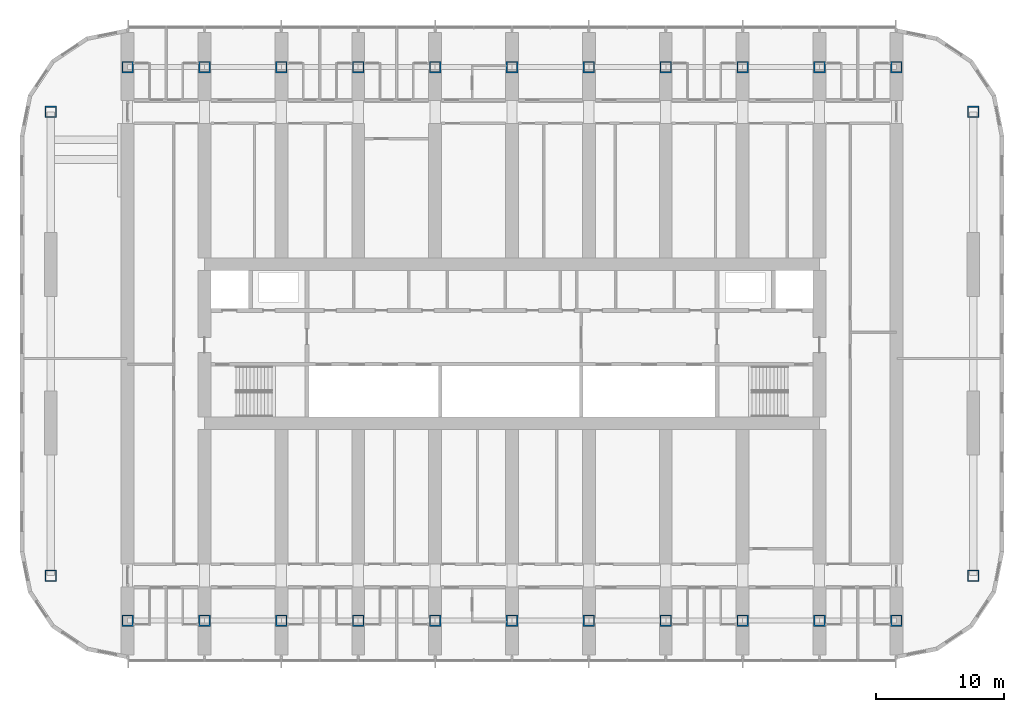
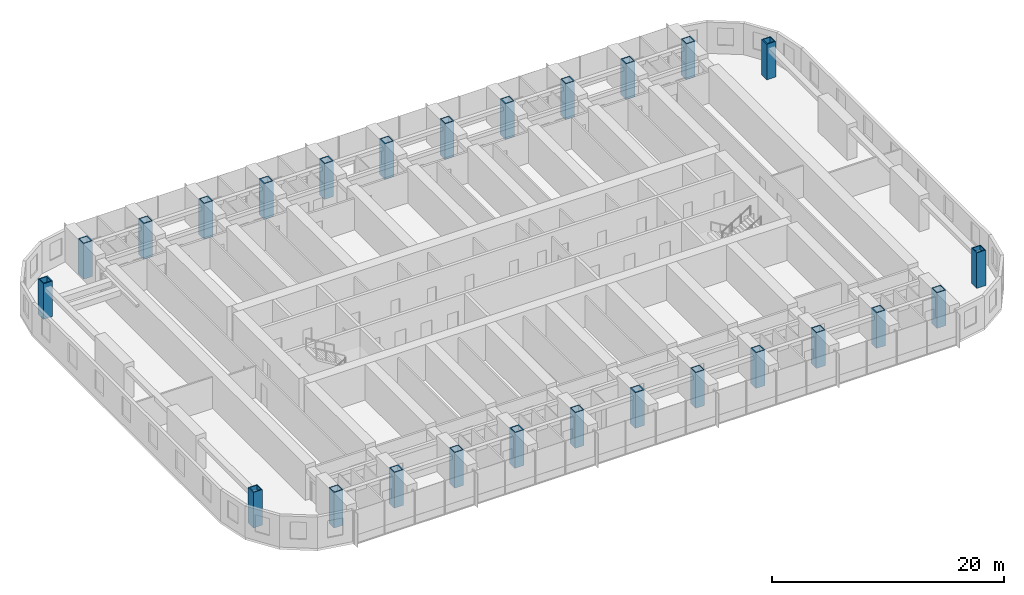
# One storey, part 1 of 23: 26 columns.
"""IFC4 building model written with IfcOpenShell, lengths in metres."""

from ifc_helpers import new_model, si_unit, direction, frame, origin, origin_2d, place, context, subcontext, project, spatial, hollow_rectangle, extrude, material, material_profile, profile_set, type_object, element, save


model = new_model("IFC4")

# Units and contexts
model_context = context("Model", 3, precision=1e-05, world=origin(), true_north=direction((0.0, 1.0)))
body_context = subcontext(model_context, "Body", "Model", "MODEL_VIEW")
ifc_project = project(units=[si_unit("LENGTHUNIT", "METRE"), si_unit("AREAUNIT", "SQUARE_METRE"), si_unit("VOLUMEUNIT", "CUBIC_METRE"), si_unit("PLANEANGLEUNIT", "RADIAN"), si_unit("MASSUNIT", "GRAM", prefix="KILO")], contexts=[model_context])

# Site, building, storey
site_placement = place(None, origin())
site = spatial("IfcSite", under=ifc_project, at=site_placement, CompositionType="ELEMENT")
building_placement = place(site_placement, origin())
building = spatial("IfcBuilding", under=site, at=building_placement, Name="Orbita Commons", CompositionType="ELEMENT")
storey_placement = place(building_placement, frame((0.0, 0.0, 50.199951171875)))
storey = spatial("IfcBuildingStorey", under=building, at=storey_placement, Name="L12", CompositionType="ELEMENT", Elevation=50.199951171875)

# Columns
ifc_material = material(Name="Steel ASTM A572 Gr 50 welded plate", Category="steel")
ifc_material_profile = material_profile(ifc_material, hollow_rectangle(XDim=0.89990234375, YDim=0.89990234375, WallThickness=0.090087890625, at=origin_2d()), Name="BOX 900x900x90")
ifc_profile_set = profile_set([ifc_material_profile], Name="Steel ASTM A572 Gr 50 welded plate")
column_type = type_object("IfcColumnType", Name="Steel column BOX 900x900x90", PredefinedType="COLUMN", material=ifc_profile_set)
for number, where, z_axis, x_axis, name in (
    (1, (12.0, 10.39990234375, 0.0), (0.0, 0.0, 1.0), (1.0, 0.0, 0.0), "Column 3/B L12"),
    (2, (12.0, 53.60009765625, 0.0), (0.0, 0.0, 1.0), (1.0, 0.0, 0.0), "Column 3/E L12"),
    (3, (18.0, 10.39990234375, 0.0), (0.0, 0.0, 1.0), (1.0, 0.0, 0.0), "Column 4/B L12"),
    (4, (18.0, 53.60009765625, 0.0), (0.0, 0.0, 1.0), (1.0, 0.0, 0.0), "Column 4/E L12"),
    (5, (24.0, 10.39990234375, 0.0), (0.0, 0.0, 1.0), (1.0, 0.0, 0.0), "Column 5/B L12"),
    (6, (24.0, 53.60009765625, 0.0), (0.0, 0.0, 1.0), (1.0, 0.0, 0.0), "Column 5/E L12"),
    (7, (30.0, 10.39990234375, 0.0), (0.0, 0.0, 1.0), (1.0, 0.0, 0.0), "Column 6/B L12"),
    (8, (30.0, 53.60009765625, 0.0), (0.0, 0.0, 1.0), (1.0, 0.0, 0.0), "Column 6/E L12"),
    (9, (36.0, 10.39990234375, 0.0), (0.0, 0.0, 1.0), (1.0, 0.0, 0.0), "Column 7/B L12"),
    (10, (36.0, 53.60009765625, 0.0), (0.0, 0.0, 1.0), (1.0, 0.0, 0.0), "Column 7/E L12"),
    (11, (42.0, 10.39990234375, 0.0), (0.0, 0.0, 1.0), (1.0, 0.0, 0.0), "Column 8/B L12"),
    (12, (42.0, 53.60009765625, 0.0), (0.0, 0.0, 1.0), (1.0, 0.0, 0.0), "Column 8/E L12"),
    (13, (48.0, 10.39990234375, 0.0), (0.0, 0.0, 1.0), (1.0, 0.0, 0.0), "Column 9/B L12"),
    (14, (48.0, 53.60009765625, 0.0), (0.0, 0.0, 1.0), (1.0, 0.0, 0.0), "Column 9/E L12"),
    (15, (54.0, 10.39990234375, 0.0), (0.0, 0.0, 1.0), (1.0, 0.0, 0.0), "Column 10/B L12"),
    (16, (54.0, 53.60009765625, 0.0), (0.0, 0.0, 1.0), (1.0, 0.0, 0.0), "Column 10/E L12"),
    (17, (60.0, 10.39990234375, 0.0), (0.0, 0.0, 1.0), (1.0, 0.0, 0.0), "Column 11/B L12"),
    (18, (60.0, 53.60009765625, 0.0), (0.0, 0.0, 1.0), (1.0, 0.0, 0.0), "Column 11/E L12"),
    (19, (66.0, 10.39990234375, 0.0), (0.0, 0.0, 1.0), (1.0, 0.0, 0.0), "Column 12/B L12"),
    (20, (66.0, 53.60009765625, 0.0), (0.0, 0.0, 1.0), (1.0, 0.0, 0.0), "Column 12/E L12"),
    (21, (72.0, 10.39990234375, 0.0), (0.0, 0.0, 1.0), (1.0, 0.0, 0.0), "Column 13/B L12"),
    (22, (72.0, 53.60009765625, 0.0), (0.0, 0.0, 1.0), (1.0, 0.0, 0.0), "Column 13/E L12"),
    (23, (6.0, 13.89990234375, 0.0), (0.0, 0.0, 1.0), (1.0, 0.0, 0.0), "Column 2/13.9 L12"),
    (24, (6.0, 50.10009765625, 0.0), (0.0, 0.0, 1.0), (1.0, 0.0, 0.0), "Column 2/50.1 L12"),
    (25, (78.0, 13.89990234375, 0.0), (0.0, 0.0, 1.0), (1.0, 0.0, 0.0), "Column 14/13.9 L12"),
    (26, (78.0, 50.10009765625, 0.0), (0.0, 0.0, 1.0), (1.0, 0.0, 0.0), "Column 14/50.1 L12"),
):
    element("IfcColumn", number, at=place(storey_placement, frame(where, z_axis=z_axis, x_axis=x_axis)), inside=storey, type_object=column_type, Name=name, PredefinedType="COLUMN", context=body_context, shape_type="SweptSolid", body=[
        extrude(hollow_rectangle(XDim=0.89990234375, YDim=0.89990234375, WallThickness=0.090087890625, at=origin_2d()), origin(), (0.0, 0.0, 1.0), 3.75),
    ])

save(model, "model.ifc")
